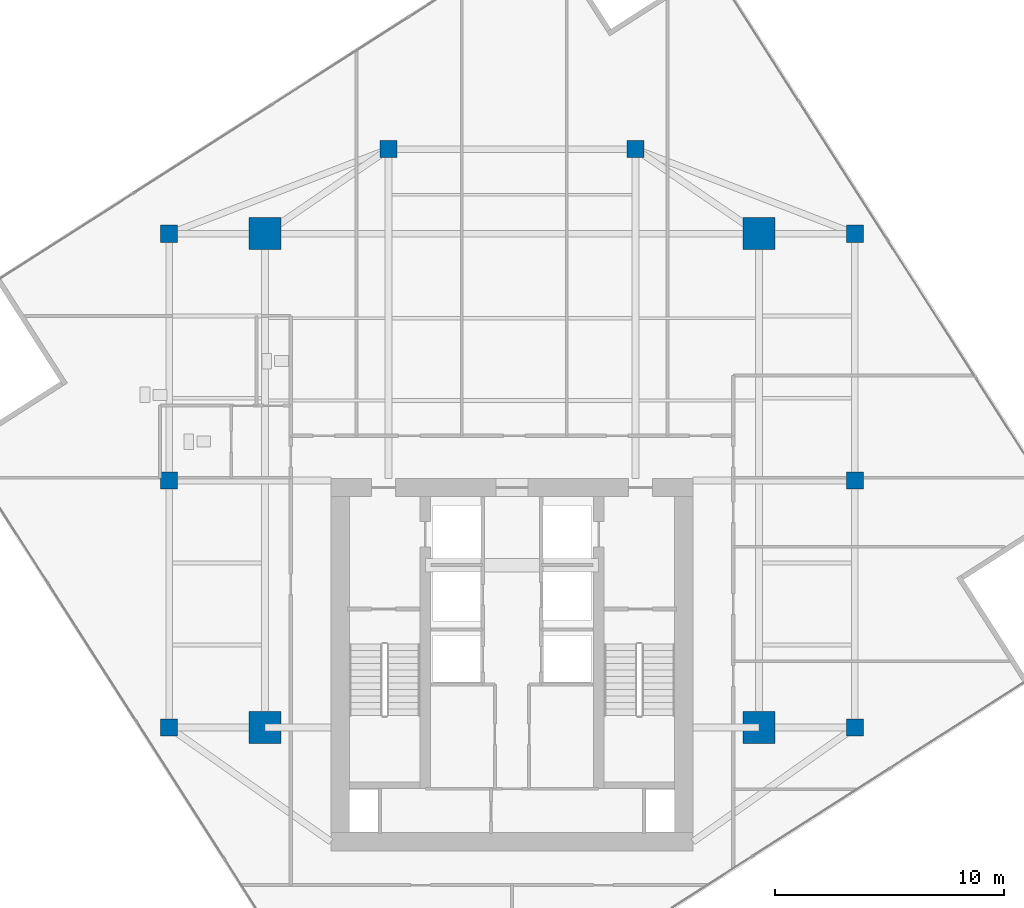
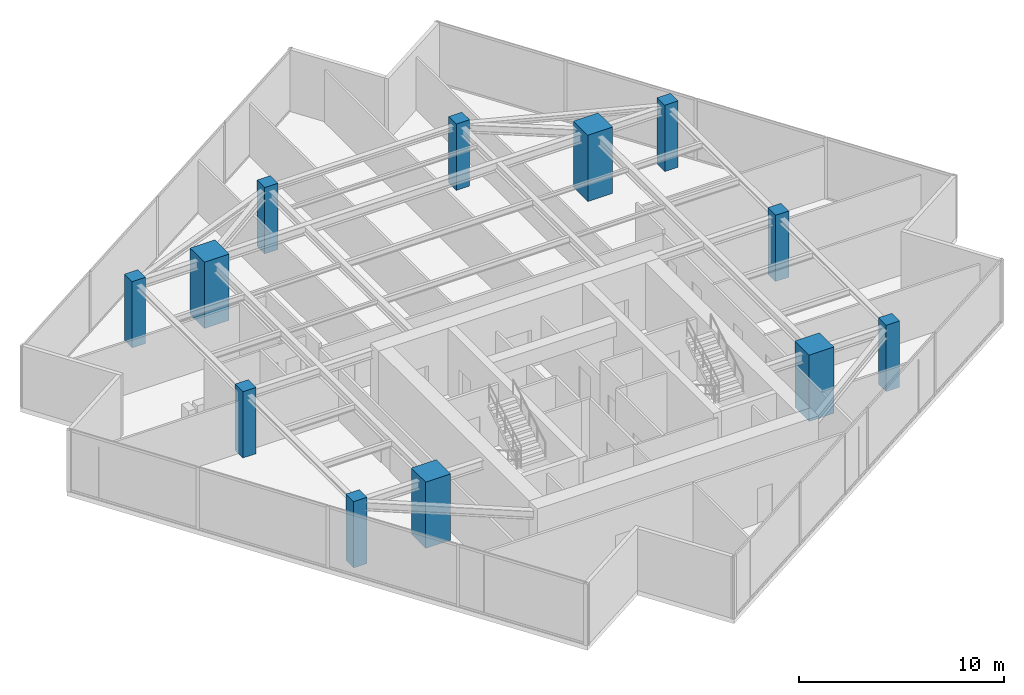
# One storey, part 1 of 20: 12 columns.
"""IFC4 building model written with IfcOpenShell, lengths in metres."""

import ifcopenshell
import ifcopenshell.guid

model = None  # the IFC model being written
_history = None  # IfcOwnerHistory: only IFC2X3 demands one
_inside = {}  # id of a spatial element -> (the spatial element, [elements in it])
_under = {}  # id of a project, library or spatial element -> (it, [spatial elements below it])
_declared = {}  # id of a project -> (the project, [libraries it declares])
_typed = {}  # id of a type object -> (the type object, [elements of that type])
_made_of = {}  # id of a material, layer set ... -> (it, [elements and type objects made of it])


def new_model(schema):
    """Start an empty IFC model of exactly this schema.

    Asked for "IFC4X3", IfcOpenShell would pick the latest addendum, in which some entities
    have other attributes; the version numbers below select the first issue.
    IFC2X3 requires an IfcOwnerHistory on every rooted entity: one is made here for all.
    """
    global model, _history
    if schema == "IFC4X3":
        model = ifcopenshell.file(schema_version=(4, 3, 0, 0))
    else:
        model = ifcopenshell.file(schema=schema)
    _inside.clear()
    _under.clear()
    _declared.clear()
    _typed.clear()
    _made_of.clear()
    _history = None
    if model.schema == "IFC2X3":
        org = make("IfcOrganization", Name="unknown")
        user = make(
            "IfcPersonAndOrganization",
            ThePerson=make("IfcPerson", FamilyName="unknown"),
            TheOrganization=org,
        )
        app = make(
            "IfcApplication",
            ApplicationDeveloper=org,
            Version="unknown",
            ApplicationFullName="unknown",
            ApplicationIdentifier="unknown",
        )
        _history = make(
            "IfcOwnerHistory",
            OwningUser=user,
            OwningApplication=app,
            ChangeAction="ADDED",
            CreationDate=0,
        )
    return model


def make(cls, **values):
    """One entity of the class cls with the attributes given. An attribute that is None is left unset."""
    return model.create_entity(
        cls, **{name: value for name, value in values.items() if value is not None}
    )


def rooted(cls, **values):
    """An entity with a GlobalId (a new one), such as an element, a storey or a relation."""
    return make(cls, GlobalId=ifcopenshell.guid.new(), OwnerHistory=_history, **values)


def si_unit(unit_type, name, prefix=None):
    """IfcSIUnit, for example si_unit("LENGTHUNIT", "METRE", prefix="MILLI")."""
    return make("IfcSIUnit", UnitType=unit_type, Prefix=prefix, Name=name)


def assignment(units):
    """IfcUnitAssignment: the units of a project."""
    return None if units is None else make("IfcUnitAssignment", Units=units)


def point(xyz):
    """IfcCartesianPoint."""
    return None if xyz is None else make("IfcCartesianPoint", Coordinates=xyz)


def direction(xyz):
    """IfcDirection."""
    return None if xyz is None else make("IfcDirection", DirectionRatios=xyz)


def frame(location, z_axis=None, x_axis=None):
    """IfcAxis2Placement3D, a coordinate frame: its origin and axes. An axis left out is left unset."""
    return make(
        "IfcAxis2Placement3D",
        Location=point(location),
        Axis=direction(z_axis),
        RefDirection=direction(x_axis),
    )


def frame_2d(location, x_axis=None):
    """IfcAxis2Placement2D, a coordinate frame in the plane: its origin and x axis."""
    return make(
        "IfcAxis2Placement2D", Location=point(location), RefDirection=direction(x_axis)
    )


def origin():
    """The frame at (0, 0, 0) with its axes left unset."""
    return frame((0.0, 0.0, 0.0))


def origin_2d():
    """The frame at (0, 0) in the plane with its x axis left unset."""
    return frame_2d((0.0, 0.0))


def place(relative_to, where):
    """IfcLocalPlacement: puts the frame where relative to a parent placement (None: the world)."""
    return make(
        "IfcLocalPlacement", PlacementRelTo=relative_to, RelativePlacement=where
    )


def context(
    kind, dimensions, precision=None, world=None, true_north=None, identifier=None
):
    """IfcGeometricRepresentationContext, for example the 3D "Model" context."""
    return make(
        "IfcGeometricRepresentationContext",
        ContextIdentifier=identifier,
        ContextType=kind,
        CoordinateSpaceDimension=dimensions,
        Precision=precision,
        WorldCoordinateSystem=world,
        TrueNorth=true_north,
    )


def subcontext(parent, identifier, kind, view, scale=None):
    """IfcGeometricRepresentationSubContext, for example "Body" below "Model"."""
    return make(
        "IfcGeometricRepresentationSubContext",
        ContextIdentifier=identifier,
        ContextType=kind,
        ParentContext=parent,
        TargetScale=scale,
        TargetView=view,
    )


def project(units=None, contexts=None):
    """IfcProject with its units and contexts."""
    return rooted(
        "IfcProject",
        Name="project",
        RepresentationContexts=contexts,
        UnitsInContext=assignment(units),
    )


def spatial(cls, under=None, at=None, **own):
    """A site, building, storey or space (cls), placed at a placement, below another one or the project."""
    s = rooted(cls, ObjectPlacement=at, **own)
    if under is not None:
        _under.setdefault(under.id(), (under, []))[1].append(s)
    return s


def profile(cls, at=None, kind="AREA", **sizes):
    """A parametric profile (cls). Its sizes go by their IFC names, for example OverallWidth=200.0."""
    return make(cls, ProfileType=kind, Position=at, **sizes)


def rectangle(**sizes):
    """IfcRectangleProfileDef."""
    return profile("IfcRectangleProfileDef", **sizes)


def extrude(swept, where, along, depth):
    """IfcExtrudedAreaSolid: the profile swept, set in the frame where, extruded along a direction by depth."""
    return make(
        "IfcExtrudedAreaSolid",
        SweptArea=swept,
        Position=where,
        ExtrudedDirection=direction(along),
        Depth=depth,
    )


def shape(context_of_items, identifier, shape_type, items):
    """IfcShapeRepresentation: the items that make up one representation, for example the "Body"."""
    return make(
        "IfcShapeRepresentation",
        ContextOfItems=context_of_items,
        RepresentationIdentifier=identifier,
        RepresentationType=shape_type,
        Items=items,
    )


def source(mapping_origin, context_of_items, identifier, shape_type, items):
    """IfcRepresentationMap: a shape defined once, which mapped items show again and again."""
    return make(
        "IfcRepresentationMap",
        MappingOrigin=mapping_origin,
        MappedRepresentation=shape(context_of_items, identifier, shape_type, items),
    )


def transform(
    local_origin,
    x_axis=None,
    y_axis=None,
    z_axis=None,
    scale=None,
    scale2=None,
    scale3=None,
    uniform=True,
):
    """IfcCartesianTransformationOperator3D, or its non-uniform kind. x_axis, y_axis, z_axis: its Axis1, 2, 3."""
    if uniform:
        return make(
            "IfcCartesianTransformationOperator3D",
            Axis1=direction(x_axis),
            Axis2=direction(y_axis),
            LocalOrigin=point(local_origin),
            Scale=scale,
            Axis3=direction(z_axis),
        )
    return make(
        "IfcCartesianTransformationOperator3DnonUniform",
        Axis1=direction(x_axis),
        Axis2=direction(y_axis),
        LocalOrigin=point(local_origin),
        Scale=scale,
        Axis3=direction(z_axis),
        Scale2=scale2,
        Scale3=scale3,
    )


def mapped(mapping_source, mapping_target):
    """IfcMappedItem: shows the shape of a source again, moved by a transform."""
    return make(
        "IfcMappedItem", MappingSource=mapping_source, MappingTarget=mapping_target
    )


def material(Name=None, Category=None):
    """IfcMaterial."""
    return make("IfcMaterial", Name=Name, Category=Category)


def material_profile(
    of_material, cross_section, Name=None, Category=None, Priority=None
):
    """IfcMaterialProfile: a cross section and its material."""
    return make(
        "IfcMaterialProfile",
        Name=Name,
        Material=of_material,
        Profile=cross_section,
        Priority=Priority,
        Category=Category,
    )


def profile_set(profiles, Name=None, composite=None):
    """IfcMaterialProfileSet."""
    return make(
        "IfcMaterialProfileSet",
        Name=Name,
        MaterialProfiles=profiles,
        CompositeProfile=composite,
    )


def made_of(thing, what):
    """Note that an element or type object is made of a material, layer set ...; save() writes the relation."""
    if what is not None:
        _made_of.setdefault(what.id(), (what, []))[1].append(thing)
    return thing


def type_object(cls, material=None, **own):
    """A type object (cls), such as IfcWallType, which elements share."""
    return made_of(rooted(cls, **own), material)


def type_shapes(of_type, sources):
    """Give a type object the sources (RepresentationMaps) that its elements show as mapped items."""
    of_type.RepresentationMaps = sources


def element(
    cls,
    number,
    at=None,
    inside=None,
    cuts=None,
    type_object=None,
    material=None,
    context=None,
    identifier="Body",
    shape_type=None,
    held_by="IfcProductDefinitionShape",
    body=None,
    shapes=None,
    **own,
):
    """One element of the class cls, such as IfcWall. Its Tag is "e" and its number.

    at: its placement. inside: the storey or other place that contains it. cuts: it is an
    opening in that element (IfcRelVoidsElement). A single representation is given by context,
    identifier, shape_type and body (its items); several are given by shapes. held_by: the class
    of the entity that holds the representations. save() writes the other relations.
    """
    e = rooted(cls, Tag="e%d" % number, ObjectPlacement=at, **own)
    if body is not None:
        shapes = [shape(context, identifier, shape_type, body)]
    if shapes is not None:
        e.Representation = make(held_by, Representations=shapes)
    if inside is not None:
        _inside.setdefault(inside.id(), (inside, []))[1].append(e)
    if cuts is not None:
        rooted(
            "IfcRelVoidsElement", RelatingBuildingElement=cuts, RelatedOpeningElement=e
        )
    if type_object is not None:
        _typed.setdefault(type_object.id(), (type_object, []))[1].append(e)
    return made_of(e, material)


def aggregate(whole, parts):
    """IfcRelAggregates: a whole, such as a stair, and the parts it consists of."""
    return rooted("IfcRelAggregates", RelatingObject=whole, RelatedObjects=parts)


def save(model, path):
    """Write the relations noted so far, then the file.

    IfcRelAggregates (storeys below a building ...), IfcRelContainedInSpatialStructure (elements
    in a storey), IfcRelDefinesByType, IfcRelAssociatesMaterial and IfcRelDeclares: one each for
    every whole, place, type object, material and project.
    """
    for whole, parts in _under.values():
        aggregate(whole, parts)
    for where, things in _inside.values():
        rooted(
            "IfcRelContainedInSpatialStructure",
            RelatedElements=things,
            RelatingStructure=where,
        )
    for kind, things in _typed.values():
        rooted("IfcRelDefinesByType", RelatedObjects=things, RelatingType=kind)
    for what, things in _made_of.values():
        rooted("IfcRelAssociatesMaterial", RelatedObjects=things, RelatingMaterial=what)
    for by, libraries in _declared.values():
        rooted("IfcRelDeclares", RelatingContext=by, RelatedDefinitions=libraries)
    model.write(path)


model = new_model("IFC4")

# Units and contexts
model_context = context("Model", 3, precision=1e-05, world=origin(), true_north=direction((0.0, 1.0)))
body_context = subcontext(model_context, "Body", "Model", "MODEL_VIEW")
ifc_project = project(units=[si_unit("LENGTHUNIT", "METRE"), si_unit("AREAUNIT", "SQUARE_METRE"), si_unit("VOLUMEUNIT", "CUBIC_METRE"), si_unit("PLANEANGLEUNIT", "RADIAN"), si_unit("MASSUNIT", "GRAM", prefix="KILO")], contexts=[model_context])

# Site, building, storey
site_placement = place(None, origin())
site = spatial("IfcSite", under=ifc_project, at=site_placement, CompositionType="ELEMENT")
building_placement = place(site_placement, origin())
building = spatial("IfcBuilding", under=site, at=building_placement, Name="Krantzveldt Concourse Tower", CompositionType="ELEMENT")
storey_placement = place(building_placement, frame((0.0, 0.0, 291.10009765625)))
storey = spatial("IfcBuildingStorey", under=building, at=storey_placement, Name="L71", CompositionType="ELEMENT", Elevation=291.10009765625)

# Columns
ifc_material = material(Name="Concrete C50/60", Category="concrete")
ifc_material_profile_1 = material_profile(ifc_material, rectangle(XDim=1.39990234375, YDim=1.39990234375, at=origin_2d()), Name="Concrete C50/60", Category="concrete")
ifc_profile_set_1 = profile_set([ifc_material_profile_1], Name="Concrete C50/60 - RC 1400x1400")
column_type_1 = type_object("IfcColumnType", Name="COL-MC-1400", PredefinedType="USERDEFINED", material=ifc_profile_set_1)
shared_shape_1 = source(origin(), body_context, "Body", "SweptSolid", [
    extrude(rectangle(XDim=1.39990234375, YDim=1.39990234375, at=origin_2d()), origin(), (0.0, 0.0, 1.0), 3.949951171875),
])
type_shapes(column_type_1, [shared_shape_1])
for number, where, z_axis, x_axis, name in (
    (1, (25.199951171875, 15.89990234375, 0.0), (0.0, 0.0, 1.0), (1.0, 0.0, 0.0), "MC-SW-L71"),
    (2, (46.800048828125, 15.89990234375, 0.0), (0.0, 0.0, 1.0), (1.0, 0.0, 0.0), "MC-SE-L71"),
    (3, (46.800048828125, 37.5, 0.0), (0.0, 0.0, 1.0), (1.0, 0.0, 0.0), "MC-NE-L71"),
    (4, (25.199951171875, 37.5, 0.0), (0.0, 0.0, 1.0), (1.0, 0.0, 0.0), "MC-NW-L71"),
):
    element("IfcColumn", number, at=place(storey_placement, frame(where, z_axis=z_axis, x_axis=x_axis)), inside=storey, type_object=column_type_1, Name=name, ObjectType="MEGA COLUMN", PredefinedType="USERDEFINED", context=body_context, shape_type="MappedRepresentation", body=[
        mapped(shared_shape_1, transform((0.0, 0.0, 0.0), x_axis=(1.0, 0.0, 0.0), y_axis=(0.0, 1.0, 0.0), z_axis=(0.0, 0.0, 1.0), scale=1.0)),
    ])
ifc_material_profile_2 = material_profile(ifc_material, rectangle(XDim=0.75, YDim=0.75, at=origin_2d()), Name="Concrete C50/60", Category="concrete")
ifc_profile_set_2 = profile_set([ifc_material_profile_2], Name="Concrete C50/60 - RC 750x750")
column_type_2 = type_object("IfcColumnType", Name="COL-C-Z5", PredefinedType="COLUMN", material=ifc_profile_set_2)
shared_shape_2 = source(origin(), body_context, "Body", "SweptSolid", [
    extrude(rectangle(XDim=0.75, YDim=0.75, at=origin_2d()), origin(), (0.0, 0.0, 1.0), 3.949951171875),
])
type_shapes(column_type_2, [shared_shape_2])
for number, where, z_axis, x_axis, name in (
    (5, (21.0, 15.89990234375, 0.0), (0.0, 0.0, 1.0), (1.0, 0.0, 0.0), "PC-R01-L71"),
    (6, (21.0, 26.699951171875, 0.0), (0.0, 0.0, 1.0), (1.0, 0.0, 0.0), "PC-R02-L71"),
    (7, (21.0, 37.5, 0.0), (0.0, 0.0, 1.0), (1.0, 0.0, 0.0), "PC-R03-L71"),
    (8, (30.60009765625, 41.199951171875, 0.0), (0.0, 0.0, 1.0), (1.0, 0.0, 0.0), "PC-R04-L71"),
    (9, (41.39990234375, 41.199951171875, 0.0), (0.0, 0.0, 1.0), (1.0, 0.0, 0.0), "PC-R05-L71"),
    (10, (51.0, 37.5, 0.0), (0.0, 0.0, 1.0), (1.0, 0.0, 0.0), "PC-R06-L71"),
    (11, (51.0, 26.699951171875, 0.0), (0.0, 0.0, 1.0), (1.0, 0.0, 0.0), "PC-R07-L71"),
    (12, (51.0, 15.89990234375, 0.0), (0.0, 0.0, 1.0), (1.0, 0.0, 0.0), "PC-R08-L71"),
):
    element("IfcColumn", number, at=place(storey_placement, frame(where, z_axis=z_axis, x_axis=x_axis)), inside=storey, type_object=column_type_2, Name=name, PredefinedType="COLUMN", context=body_context, shape_type="MappedRepresentation", body=[
        mapped(shared_shape_2, transform((0.0, 0.0, 0.0), x_axis=(1.0, 0.0, 0.0), y_axis=(0.0, 1.0, 0.0), z_axis=(0.0, 0.0, 1.0), scale=1.0)),
    ])

save(model, "model.ifc")
